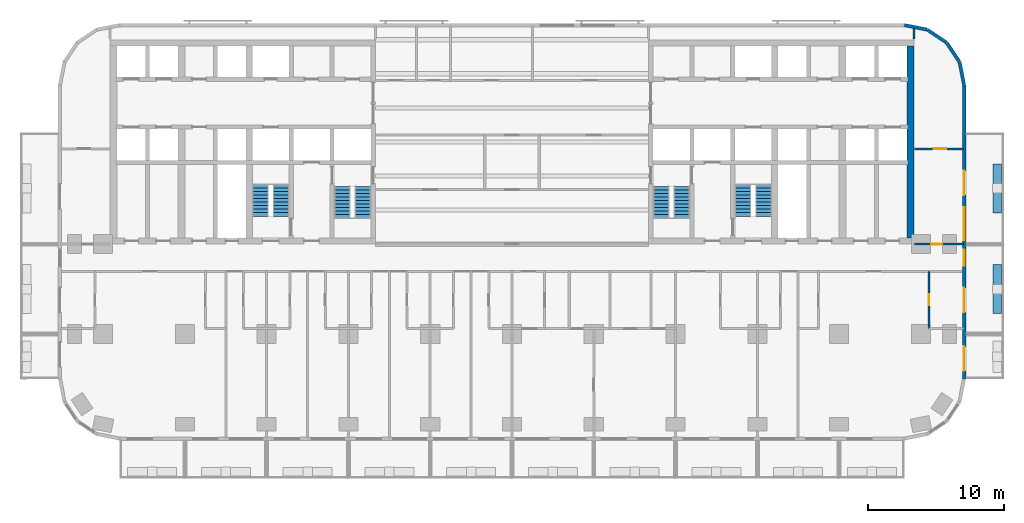
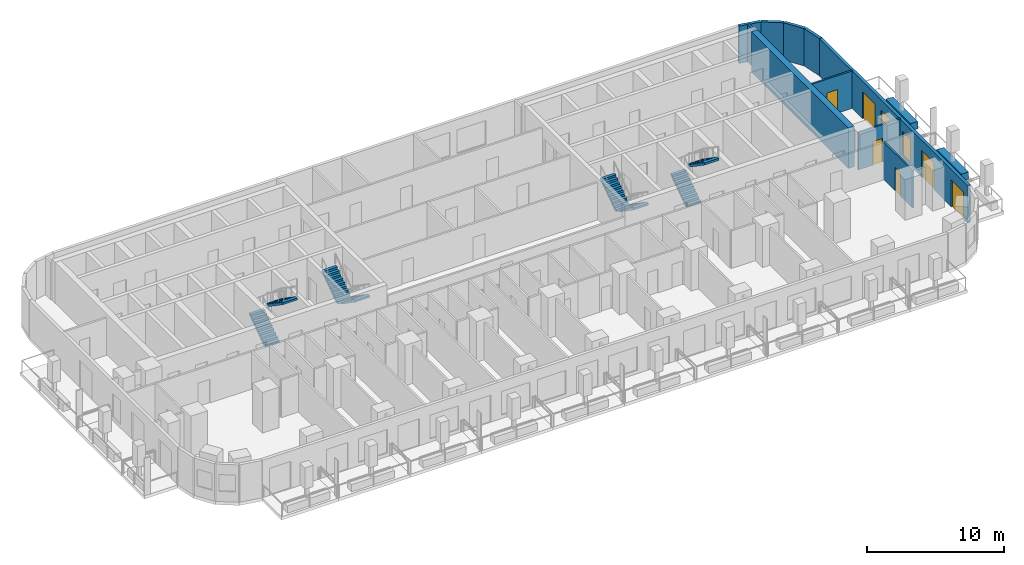
# One storey, part 8 of 13: 12 walls, 8 stair flights, 6 doors, 2 windows, 8 openings, 4 elements without a shape of their own.
"""IFC4 building model written with IfcOpenShell, lengths in metres."""

from ifc_helpers import new_model, si_unit, direction, frame, frame_2d, origin, place, context, subcontext, project, spatial, polyline, rectangle, outline, extrude, material, layer, layer_set, type_object, element, fill, aggregate, save


model = new_model("IFC4")

# Units and contexts
model_context = context("Model", 3, precision=1e-05, world=origin(), true_north=direction((0.0, 1.0)))
body_context = subcontext(model_context, "Body", "Model", "MODEL_VIEW")
ifc_project = project(units=[si_unit("LENGTHUNIT", "METRE"), si_unit("AREAUNIT", "SQUARE_METRE"), si_unit("VOLUMEUNIT", "CUBIC_METRE"), si_unit("PLANEANGLEUNIT", "RADIAN"), si_unit("MASSUNIT", "GRAM", prefix="KILO")], contexts=[model_context])

# Site, building, storey
site_placement = place(None, origin())
site = spatial("IfcSite", under=ifc_project, at=site_placement, CompositionType="ELEMENT")
building_placement = place(site_placement, origin())
building = spatial("IfcBuilding", under=site, at=building_placement, Name="Torana Hotel and Residences", CompositionType="ELEMENT")
storey_placement = place(building_placement, frame((0.0, 0.0, 56.39990234375)))
storey = spatial("IfcBuildingStorey", under=building, at=storey_placement, Name="L13", CompositionType="ELEMENT", Elevation=56.39990234375)

# Walls
ifc_material_1 = material(Name="Concrete C80/95", Category="concrete")
ifc_layer_1 = layer(ifc_material_1, 0.5)
ifc_layer_set_1 = layer_set([ifc_layer_1], Name="CORE WALL 500 C80/95")
wall_type_1 = type_object("IfcWallType", Name="CORE WALL 500 C80/95", PredefinedType="SHEAR", material=ifc_layer_set_1)
wall_1_placement = place(storey_placement, frame((29.25, -14.550048828125, 0.0), z_axis=(0.0, 0.0, 1.0), x_axis=(0.0, 1.0, 0.0)))
element("IfcWall", 1, at=wall_1_placement, inside=storey, type_object=wall_type_1, Name="Core wall E outer", PredefinedType="SHEAR", context=body_context, shape_type="SweptSolid", body=[
    extrude(rectangle(XDim=14.10009765625, YDim=0.5, at=frame_2d((7.050048828125, 0.0))), origin(), (0.0, 0.0, 1.0), 3.60009765625),
])
ifc_material_2 = material(Name="Black aluminium composite panel", Category="aluminium")
ifc_layer_2 = layer(ifc_material_2, 0.00390625, Name="Cladding", Category="cladding")
ifc_material_3 = material(Name="Ventilated air cavity")
ifc_layer_3 = layer(ifc_material_3, 0.0400390625, Name="Ventilated cavity", Category="cavity")
ifc_material_4 = material(Name="Mineral wool insulation")
ifc_layer_4 = layer(ifc_material_4, 0.090087890625, Name="Insulation", Category="insulation")
ifc_material_5 = material(Name="Steel S280GD", Category="steel")
ifc_layer_5 = layer(ifc_material_5, 0.092041015625, Name="Steel stud frame", Category="structure")
ifc_material_6 = material(Name="Fire rated plasterboard")
ifc_layer_6 = layer(ifc_material_6, 0.011962890625, Name="Inner board", Category="finish")
ifc_layer_7 = layer(ifc_material_6, 0.011962890625, Name="Second board", Category="finish")
ifc_layer_set_2 = layer_set([ifc_layer_2, ifc_layer_3, ifc_layer_4, ifc_layer_5, ifc_layer_6, ifc_layer_7], Name="EW1 EXTERNAL WALL BLACK METAL CLAD 250")
wall_type_2 = type_object("IfcWallType", Name="EW1 EXTERNAL WALL BLACK METAL CLAD 250", PredefinedType="SOLIDWALL", material=ifc_layer_set_2)
wall_2_placement = place(storey_placement, frame((33.172607421875, -3.30029296875, 0.0), z_axis=(0.0, 0.0, 1.0), x_axis=(-0.19513878023, 0.980775640221, 0.0)))
element("IfcWall", 2, at=wall_2_placement, inside=storey, type_object=wall_type_2, Name="External wall L13 e0.0", PredefinedType="SOLIDWALL", context=body_context, shape_type="SweptSolid", body=[
    extrude(rectangle(XDim=1.681396484375, YDim=0.25, at=frame_2d((0.8408203125, 0.0))), origin(), (0.0, 0.0, 1.0), 3.320068359375),
])
for number, where, z_axis, x_axis, name in (
    (3, (32.825927734375, -1.60595703125, 0.0), (0.0, 0.0, 1.0), (-0.55555029066, 0.831482937015, 0.0), "External wall L13 e0.1"),
    (4, (31.87109375, -0.1943359375, 0.0), (0.0, 0.0, 1.0), (-0.831482937015, 0.55555029066, 0.0), "External wall L13 e0.2"),
):
    element("IfcWall", number, at=place(storey_placement, frame(where, z_axis=z_axis, x_axis=x_axis)), inside=storey, type_object=wall_type_2, Name=name, PredefinedType="SOLIDWALL", context=body_context, shape_type="SweptSolid", body=[
        extrude(rectangle(XDim=1.65625, YDim=0.25, at=frame_2d((0.828125, 0.0))), origin(), (0.0, 0.0, 1.0), 3.320068359375),
    ])
wall_3_placement = place(storey_placement, frame((30.448974609375, 0.74462890625, 0.0), z_axis=(0.0, 0.0, 1.0), x_axis=(-0.980803419081, 0.194999110559, 0.0)))
element("IfcWall", 5, at=wall_3_placement, inside=storey, type_object=wall_type_2, Name="External wall L13 e0.3", PredefinedType="SOLIDWALL", context=body_context, shape_type="SweptSolid", body=[
    extrude(rectangle(XDim=1.681396484375, YDim=0.25, at=frame_2d((0.8408203125, 0.0))), origin(), (0.0, 0.0, 1.0), 3.320068359375),
])

# Wall, openings, doors, windows
wall_4_placement = place(storey_placement, frame((33.175048828125, -24.87548828125, 0.0), z_axis=(0.0, 0.0, 1.0), x_axis=(0.0, 1.0, 0.0)))
wall_4 = element("IfcWall", 6, at=wall_4_placement, inside=storey, type_object=wall_type_2, Name="External wall L13 e0.19", PredefinedType="SOLIDWALL", context=body_context, shape_type="SweptSolid", body=[
    extrude(rectangle(XDim=21.55078125, YDim=0.25, at=frame_2d((10.775390625, 0.0))), origin(), (0.0, 0.0, 1.0), 3.320068359375),
])
opening_1_placement = place(wall_4_placement, frame((0.575439453125, 0.0, 0.0)))
opening_1 = element("IfcOpeningElement", 7, at=opening_1_placement, cuts=wall_4, Name="Opening L13-E11", PredefinedType="OPENING", context=body_context, shape_type="SweptSolid", body=[
    extrude(rectangle(XDim=1.800048828125, YDim=2.39990234375, at=frame_2d((0.89990234375, 1.199951171875))), frame((0.0, 0.135009765625, 0.0), z_axis=(0.0, -1.0, 0.0), x_axis=(1.0, 0.0, 0.0)), (0.0, 0.0, 1.0), 0.27001953125),
])
opening_2_placement = place(wall_4_placement, frame((4.87548828125, 0.0, 0.0)))
opening_2 = element("IfcOpeningElement", 8, at=opening_2_placement, cuts=wall_4, Name="Opening L13-E12", PredefinedType="OPENING", context=body_context, shape_type="SweptSolid", body=[
    extrude(rectangle(XDim=1.800048828125, YDim=2.39990234375, at=frame_2d((0.89990234375, 1.199951171875))), frame((0.0, 0.135009765625, 0.0), z_axis=(0.0, -1.0, 0.0), x_axis=(1.0, 0.0, 0.0)), (0.0, 0.0, 1.0), 0.27001953125),
])
opening_3_placement = place(wall_4_placement, frame((8.275390625, 0.0, 0.300048828125)))
opening_3 = element("IfcOpeningElement", 9, at=opening_3_placement, cuts=wall_4, Name="Opening W7", PredefinedType="OPENING", context=body_context, shape_type="SweptSolid", body=[
    extrude(rectangle(XDim=1.199951171875, YDim=2.10009765625, at=frame_2d((0.60009765625, 1.050048828125))), frame((0.0, 0.135009765625, 0.0), z_axis=(0.0, -1.0, 0.0), x_axis=(1.0, 0.0, 0.0)), (0.0, 0.0, 1.0), 0.27001953125),
])
opening_4_placement = place(wall_4_placement, frame((10.17529296875, 0.0, 0.300048828125)))
opening_4 = element("IfcOpeningElement", 10, at=opening_4_placement, cuts=wall_4, Name="Opening W1", PredefinedType="OPENING", context=body_context, shape_type="SweptSolid", body=[
    extrude(rectangle(XDim=2.39990234375, YDim=2.10009765625, at=frame_2d((1.199951171875, 1.050048828125))), frame((0.0, 0.135009765625, 0.0), z_axis=(0.0, -1.0, 0.0), x_axis=(1.0, 0.0, 0.0)), (0.0, 0.0, 1.0), 0.27001953125),
])
opening_5_placement = place(wall_4_placement, frame((13.475341796875, 0.0, 0.0)))
opening_5 = element("IfcOpeningElement", 11, at=opening_5_placement, cuts=wall_4, Name="Opening L13-E13", PredefinedType="OPENING", context=body_context, shape_type="SweptSolid", body=[
    extrude(rectangle(XDim=1.800048828125, YDim=2.39990234375, at=frame_2d((0.89990234375, 1.199951171875))), frame((0.0, 0.135009765625, 0.0), z_axis=(0.0, -1.0, 0.0), x_axis=(1.0, 0.0, 0.0)), (0.0, 0.0, 1.0), 0.27001953125),
])
ifc_material_7 = material(Name="Dark glass in black aluminium frame", Category="aluminium")
door_type_1 = type_object("IfcDoorType", Name="DB1 BALCONY DOOR 1800x2400", OperationType="DOUBLE_DOOR_SINGLE_SWING", PredefinedType="DOOR", material=ifc_material_7)
door_1_placement = place(opening_1_placement, origin())
door_1 = element("IfcDoor", 12, at=door_1_placement, inside=storey, type_object=door_type_1, Name="Balcony door L13", OperationType="DOUBLE_DOOR_SINGLE_SWING", OverallHeight=2.39990234375, OverallWidth=1.800048828125, PredefinedType="DOOR", context=body_context, shape_type="SweptSolid", body=[
    extrude(rectangle(XDim=1.800048828125, YDim=2.39990234375, at=frame_2d((0.89990234375, 1.199951171875))), frame((0.0, 0.02490234375, 0.0), z_axis=(0.0, -1.0, 0.0), x_axis=(1.0, 0.0, 0.0)), (0.0, 0.0, 1.0), 0.050048828125),
])
fill(opening_1, door_1)
door_2_placement = place(opening_2_placement, origin())
door_2 = element("IfcDoor", 13, at=door_2_placement, inside=storey, type_object=door_type_1, Name="Balcony door L13", OperationType="DOUBLE_DOOR_SINGLE_SWING", OverallHeight=2.39990234375, OverallWidth=1.800048828125, PredefinedType="DOOR", context=body_context, shape_type="SweptSolid", body=[
    extrude(rectangle(XDim=1.800048828125, YDim=2.39990234375, at=frame_2d((0.89990234375, 1.199951171875))), frame((0.0, 0.02490234375, 0.0), z_axis=(0.0, -1.0, 0.0), x_axis=(1.0, 0.0, 0.0)), (0.0, 0.0, 1.0), 0.050048828125),
])
fill(opening_2, door_2)
door_3_placement = place(opening_5_placement, origin())
door_3 = element("IfcDoor", 14, at=door_3_placement, inside=storey, type_object=door_type_1, Name="Balcony door L13", OperationType="DOUBLE_DOOR_SINGLE_SWING", OverallHeight=2.39990234375, OverallWidth=1.800048828125, PredefinedType="DOOR", context=body_context, shape_type="SweptSolid", body=[
    extrude(rectangle(XDim=1.800048828125, YDim=2.39990234375, at=frame_2d((0.89990234375, 1.199951171875))), frame((0.0, 0.02490234375, 0.0), z_axis=(0.0, -1.0, 0.0), x_axis=(1.0, 0.0, 0.0)), (0.0, 0.0, 1.0), 0.050048828125),
])
fill(opening_5, door_3)
ifc_material_8 = material(Name="Dark glass in black aluminium frame", Category="aluminium")
window_type_1 = type_object("IfcWindowType", Name="W1 HOTEL ROOM WINDOW 2400x2100", PartitioningType="SINGLE_PANEL", PredefinedType="WINDOW", material=ifc_material_8)
window_1_placement = place(opening_4_placement, origin())
window_1 = element("IfcWindow", 15, at=window_1_placement, inside=storey, type_object=window_type_1, Name="Window L13", OverallHeight=2.10009765625, OverallWidth=2.39990234375, PartitioningType="SINGLE_PANEL", PredefinedType="WINDOW", context=body_context, shape_type="SweptSolid", body=[
    extrude(rectangle(XDim=2.39990234375, YDim=2.10009765625, at=frame_2d((1.199951171875, 1.050048828125))), frame((0.0, 0.030029296875, 0.0), z_axis=(0.0, -1.0, 0.0), x_axis=(1.0, 0.0, 0.0)), (0.0, 0.0, 1.0), 0.06005859375),
])
fill(opening_4, window_1)
ifc_material_9 = material(Name="Dark glass in black aluminium frame", Category="aluminium")
window_type_2 = type_object("IfcWindowType", Name="W7 HOTEL CORRIDOR WINDOW 1200x2100", PartitioningType="SINGLE_PANEL", PredefinedType="WINDOW", material=ifc_material_9)
window_2_placement = place(opening_3_placement, origin())
window_2 = element("IfcWindow", 16, at=window_2_placement, inside=storey, type_object=window_type_2, Name="Window L13", OverallHeight=2.10009765625, OverallWidth=1.199951171875, PartitioningType="SINGLE_PANEL", PredefinedType="WINDOW", context=body_context, shape_type="SweptSolid", body=[
    extrude(rectangle(XDim=1.199951171875, YDim=2.10009765625, at=frame_2d((0.60009765625, 1.050048828125))), frame((0.0, 0.030029296875, 0.0), z_axis=(0.0, -1.0, 0.0), x_axis=(1.0, 0.0, 0.0)), (0.0, 0.0, 1.0), 0.06005859375),
])
fill(opening_3, window_2)

# Wall, opening, door
ifc_material_10 = material(Name="Gypsum plaster")
ifc_layer_8 = layer(ifc_material_10, 0.014892578125, Name="Plaster", Category="finish")
ifc_material_11 = material(Name="Concrete blockwork", Category="masonry")
ifc_layer_9 = layer(ifc_material_11, 0.1201171875, Name="Blockwork", Category="structure")
ifc_layer_10 = layer(ifc_material_10, 0.014892578125, Name="Plaster", Category="finish")
ifc_layer_set_3 = layer_set([ifc_layer_8, ifc_layer_9, ifc_layer_10], Name="FIRE PARTITION 150 BLOCKWORK")
wall_type_3 = type_object("IfcWallType", Name="FIRE PARTITION 150 BLOCKWORK", PredefinedType="PARTITIONING", material=ifc_layer_set_3)
wall_5_placement = place(storey_placement, frame((29.550048828125, -15.0, 0.0), z_axis=(0.0, 0.0, 1.0), x_axis=(1.0, 0.0, 0.0)))
wall_5 = element("IfcWall", 17, at=wall_5_placement, inside=storey, type_object=wall_type_3, Name="Partition L13", PredefinedType="PARTITIONING", context=body_context, shape_type="SweptSolid", body=[
    extrude(rectangle(XDim=3.570068359375, YDim=0.14990234375, at=frame_2d((1.78515625, 0.0))), origin(), (0.0, 0.0, 1.0), 3.320068359375),
])
opening_6_placement = place(wall_5_placement, frame((1.205078125, 0.0, 0.0)))
opening_6 = element("IfcOpeningElement", 18, at=opening_6_placement, cuts=wall_5, Name="Opening L13-47", PredefinedType="OPENING", context=body_context, shape_type="SweptSolid", body=[
    extrude(rectangle(XDim=0.800048828125, YDim=2.10009765625, at=frame_2d((0.39990234375, 1.050048828125))), frame((0.0, 0.0849609375, 0.0), z_axis=(0.0, -1.0, 0.0), x_axis=(1.0, 0.0, 0.0)), (0.0, 0.0, 1.0), 0.169921875),
])
ifc_material_12 = material(Name="Steel S235", Category="steel")
door_type_2 = type_object("IfcDoorType", Name="STORE FIRE DOOR D16 800x2100", OperationType="SINGLE_SWING_LEFT", PredefinedType="DOOR", material=ifc_material_12)
door_4_placement = place(opening_6_placement, origin())
door_4 = element("IfcDoor", 19, at=door_4_placement, inside=storey, type_object=door_type_2, Name="Door L13", OperationType="SINGLE_SWING_RIGHT", OverallHeight=2.10009765625, OverallWidth=0.800048828125, PredefinedType="DOOR", context=body_context, shape_type="SweptSolid", body=[
    extrude(rectangle(XDim=0.800048828125, YDim=2.10009765625, at=frame_2d((0.39990234375, 1.050048828125))), frame((0.0, 0.02490234375, 0.0), z_axis=(0.0, -1.0, 0.0), x_axis=(1.0, 0.0, 0.0)), (0.0, 0.0, 1.0), 0.050048828125),
])
fill(opening_6, door_4)

ifc_material_13 = material(Name="Gypsum plasterboard")
ifc_layer_11 = layer(ifc_material_13, 0.012451171875, Name="Plasterboard", Category="finish")
ifc_layer_12 = layer(ifc_material_13, 0.012451171875, Name="Plasterboard", Category="finish")
ifc_layer_13 = layer(ifc_material_5, 0.10009765625, Name="Steel studs with mineral wool", Category="insulation")
ifc_layer_14 = layer(ifc_material_13, 0.012451171875, Name="Plasterboard", Category="finish")
ifc_layer_15 = layer(ifc_material_13, 0.012451171875, Name="Plasterboard", Category="finish")
ifc_layer_set_4 = layer_set([ifc_layer_11, ifc_layer_12, ifc_layer_13, ifc_layer_14, ifc_layer_15], Name="PARTITION 150 PLASTERBOARD")
wall_type_4 = type_object("IfcWallType", Name="PARTITION 150 PLASTERBOARD", PredefinedType="PARTITIONING", material=ifc_layer_set_4)
wall_6_placement = place(storey_placement, frame((30.60009765625, -21.199951171875, 0.0), z_axis=(0.0, 0.0, 1.0), x_axis=(0.0, 1.0, 0.0)))
wall_6 = element("IfcWall", 20, at=wall_6_placement, inside=storey, type_object=wall_type_4, Name="Partition L13", PredefinedType="PARTITIONING", context=body_context, shape_type="SweptSolid", body=[
    extrude(rectangle(XDim=4.199951171875, YDim=0.14990234375, at=frame_2d((2.10009765625, 0.0))), origin(), (0.0, 0.0, 1.0), 3.320068359375),
])
opening_7_placement = place(wall_6_placement, frame((1.719970703125, 0.0, 0.0)))
opening_7 = element("IfcOpeningElement", 21, at=opening_7_placement, cuts=wall_6, Name="Opening L13-74", PredefinedType="OPENING", context=body_context, shape_type="SweptSolid", body=[
    extrude(rectangle(XDim=0.800048828125, YDim=2.10009765625, at=frame_2d((0.39990234375, 1.050048828125))), frame((0.0, 0.0849609375, 0.0), z_axis=(0.0, -1.0, 0.0), x_axis=(1.0, 0.0, 0.0)), (0.0, 0.0, 1.0), 0.169921875),
])
ifc_material_14 = material(Name="Timber door, painted", Category="wood")
door_type_3 = type_object("IfcDoorType", Name="BATH DOOR D13 800x2100", OperationType="SINGLE_SWING_LEFT", PredefinedType="DOOR", material=ifc_material_14)
door_5_placement = place(opening_7_placement, origin())
door_5 = element("IfcDoor", 22, at=door_5_placement, inside=storey, type_object=door_type_3, Name="Door L13", OperationType="SINGLE_SWING_RIGHT", OverallHeight=2.10009765625, OverallWidth=0.800048828125, PredefinedType="DOOR", context=body_context, shape_type="SweptSolid", body=[
    extrude(rectangle(XDim=0.800048828125, YDim=2.10009765625, at=frame_2d((0.39990234375, 1.050048828125))), frame((0.0, 0.02490234375, 0.0), z_axis=(0.0, -1.0, 0.0), x_axis=(1.0, 0.0, 0.0)), (0.0, 0.0, 1.0), 0.050048828125),
])
fill(opening_7, door_5)

# Wall
wall_7_placement = place(storey_placement, frame((29.5, 0.050048828125, 0.0), z_axis=(0.0, 0.0, 1.0), x_axis=(0.0, 1.0, 0.0)))
element("IfcWall", 23, at=wall_7_placement, inside=storey, type_object=wall_type_4, Name="Partition L13", PredefinedType="PARTITIONING", context=body_context, shape_type="SweptSolid", body=[
    extrude(rectangle(XDim=0.8271484375, YDim=0.14990234375, at=frame_2d((0.41357421875, 0.0))), origin(), (0.0, 0.0, 1.0), 3.320068359375),
])

# Wall, opening, door
wall_8_placement = place(storey_placement, frame((29.550048828125, -8.0, 0.0), z_axis=(0.0, 0.0, 1.0), x_axis=(1.0, 0.0, 0.0)))
wall_8 = element("IfcWall", 24, at=wall_8_placement, inside=storey, type_object=wall_type_4, Name="Partition L13", PredefinedType="PARTITIONING", context=body_context, shape_type="SweptSolid", body=[
    extrude(rectangle(XDim=3.570068359375, YDim=0.14990234375, at=frame_2d((1.78515625, 0.0))), origin(), (0.0, 0.0, 1.0), 3.320068359375),
])
opening_8_placement = place(wall_8_placement, frame((1.39990234375, 0.0, 0.0)))
opening_8 = element("IfcOpeningElement", 25, at=opening_8_placement, cuts=wall_8, Name="Opening L13-76", PredefinedType="OPENING", context=body_context, shape_type="SweptSolid", body=[
    extrude(rectangle(XDim=0.89990234375, YDim=2.10009765625, at=frame_2d((0.449951171875, 1.050048828125))), frame((0.0, 0.0849609375, 0.0), z_axis=(0.0, -1.0, 0.0), x_axis=(1.0, 0.0, 0.0)), (0.0, 0.0, 1.0), 0.169921875),
])
ifc_material_15 = material(Name="Timber door, oiled ash", Category="wood")
door_type_4 = type_object("IfcDoorType", Name="ROOM DOOR D7 900x2100", OperationType="SINGLE_SWING_LEFT", PredefinedType="DOOR", material=ifc_material_15)
door_6_placement = place(opening_8_placement, origin())
door_6 = element("IfcDoor", 26, at=door_6_placement, inside=storey, type_object=door_type_4, Name="Door L13", OperationType="SINGLE_SWING_LEFT", OverallHeight=2.10009765625, OverallWidth=0.89990234375, PredefinedType="DOOR", context=body_context, shape_type="SweptSolid", body=[
    extrude(rectangle(XDim=0.89990234375, YDim=2.10009765625, at=frame_2d((0.449951171875, 1.050048828125))), frame((0.0, 0.02490234375, 0.0), z_axis=(0.0, -1.0, 0.0), x_axis=(1.0, 0.0, 0.0)), (0.0, 0.0, 1.0), 0.050048828125),
])
fill(opening_8, door_6)

# Walls
ifc_material_16 = material(Name="Concrete C40/50 precast", Category="concrete")
ifc_layer_16 = layer(ifc_material_16, 0.10009765625, Name="Planter shell", Category="structure")
ifc_material_17 = material(Name="Root resistant membrane")
ifc_layer_17 = layer(ifc_material_17, 0.00390625, Name="Waterproofing membrane", Category="membrane")
ifc_material_18 = material(Name="Drainage board with filter fleece")
ifc_layer_18 = layer(ifc_material_18, 0.02001953125, Name="Drainage board", Category="drainage")
ifc_material_19 = material(Name="Growing medium")
ifc_layer_19 = layer(ifc_material_19, 0.47607421875, Name="Planting substrate", Category="soil")
ifc_layer_set_5 = layer_set([ifc_layer_16, ifc_layer_17, ifc_layer_18, ifc_layer_19], Name="PL1 BALCONY PLANTER 600")
wall_type_5 = type_object("IfcWallType", Name="PL1 BALCONY PLANTER 600", PredefinedType="USERDEFINED", material=ifc_layer_set_5)
wall_9_placement = place(storey_placement, frame((35.60009765625, -16.5, 0.0), z_axis=(0.0, 0.0, 1.0), x_axis=(0.0, -1.0, 0.0)))
element("IfcWall", 27, at=wall_9_placement, inside=storey, type_object=wall_type_5, Name="Planter 15", ObjectType="PLANTER", PredefinedType="USERDEFINED", context=body_context, shape_type="SweptSolid", body=[
    extrude(rectangle(XDim=3.60009765625, YDim=0.60009765625, at=frame_2d((1.800048828125, 0.0))), origin(), (0.0, 0.0, 1.0), 0.650146484375),
])
wall_10_placement = place(storey_placement, frame((35.60009765625, -9.10009765625, 0.0), z_axis=(0.0, 0.0, 1.0), x_axis=(0.0, -1.0, 0.0)))
element("IfcWall", 28, at=wall_10_placement, inside=storey, type_object=wall_type_5, Name="Planter 16", ObjectType="PLANTER", PredefinedType="USERDEFINED", context=body_context, shape_type="SweptSolid", body=[
    extrude(rectangle(XDim=3.599853515625, YDim=0.60009765625, at=frame_2d((1.7998046875, 0.0))), origin(), (0.0, 0.0, 1.0), 0.650146484375),
])

# Stair, stair flights
ifc_material_20 = material(Name="Concrete C40/50 precast", Category="concrete")
stair_type_1 = type_object("IfcStairType", Name="STAIR ST1 HALF TURN 1200", PredefinedType="HALF_TURN_STAIR", material=ifc_material_20)
stair_1_placement = place(storey_placement, origin())
stair_1 = element("IfcStair", 29, at=stair_1_placement, inside=storey, type_object=stair_type_1, Name="Stair ST1 L13", PredefinedType="HALF_TURN_STAIR")
ifc_material_21 = material(Name="Concrete C40/50 precast", Category="concrete")
stair_flight_type = type_object("IfcStairFlightType", Name="STAIR FLIGHT 1200 PRECAST", PredefinedType="STRAIGHT", material=ifc_material_21)
stair_flight_1_placement = place(storey_placement, frame((-10.949951171875, -10.75, 0.0), z_axis=(0.0, 0.0, 1.0), x_axis=(0.0, -1.0, 0.0)))
stair_flight_1 = element("IfcStairFlight", 30, at=stair_flight_1_placement, type_object=stair_flight_type, Name="ST1 flight 1", NumberOfRisers=10, NumberOfTreads=9, PredefinedType="STRAIGHT", RiserHeight=0.18, TreadLength=0.26, context=body_context, shape_type="SweptSolid", body=[
    extrude(outline(polyline([(0.0, 0.0), (0.0, 0.179931640625), (0.260009765625, 0.179931640625), (0.260009765625, 0.360107421875), (0.52001953125, 0.360107421875), (0.52001953125, 0.5400390625), (0.780029296875, 0.5400390625), (0.780029296875, 0.719970703125), (1.0400390625, 0.719970703125), (1.0400390625, 0.89990234375), (1.300048828125, 0.89990234375), (1.300048828125, 1.080078125), (1.56005859375, 1.080078125), (1.56005859375, 1.260009765625), (1.820068359375, 1.260009765625), (1.820068359375, 1.43994140625), (2.080078125, 1.43994140625), (2.080078125, 1.6201171875), (2.340087890625, 1.6201171875), (2.340087890625, 1.800048828125), (2.340087890625, 1.437744140625), (0.263427734375, 0.0), (0.0, 0.0)])), frame((0.0, 0.60009765625, 0.0), z_axis=(0.0, -1.0, 0.0), x_axis=(1.0, 0.0, 0.0)), (0.0, 0.0, 1.0), 1.199951171875),
])
stair_flight_2_placement = place(storey_placement, frame((-12.449951171875, -13.090087890625, 1.800048828125), z_axis=(0.0, 0.0, 1.0), x_axis=(0.0, 1.0, 0.0)))
stair_flight_2 = element("IfcStairFlight", 31, at=stair_flight_2_placement, type_object=stair_flight_type, Name="ST1 flight 2", NumberOfRisers=10, NumberOfTreads=9, PredefinedType="STRAIGHT", RiserHeight=0.18, TreadLength=0.26, context=body_context, shape_type="SweptSolid", body=[
    extrude(outline(polyline([(0.0, 0.0), (0.0, 0.179931640625), (0.260009765625, 0.179931640625), (0.260009765625, 0.360107421875), (0.52001953125, 0.360107421875), (0.52001953125, 0.5400390625), (0.780029296875, 0.5400390625), (0.780029296875, 0.719970703125), (1.0400390625, 0.719970703125), (1.0400390625, 0.89990234375), (1.300048828125, 0.89990234375), (1.300048828125, 1.080078125), (1.56005859375, 1.080078125), (1.56005859375, 1.260009765625), (1.820068359375, 1.260009765625), (1.820068359375, 1.43994140625), (2.080078125, 1.43994140625), (2.080078125, 1.6201171875), (2.340087890625, 1.6201171875), (2.340087890625, 1.800048828125), (2.340087890625, 1.437744140625), (0.263427734375, 0.0), (0.0, 0.0)])), frame((0.0, 0.60009765625, 0.0), z_axis=(0.0, -1.0, 0.0), x_axis=(1.0, 0.0, 0.0)), (0.0, 0.0, 1.0), 1.199951171875),
])
aggregate(stair_1, [stair_flight_1, stair_flight_2])

ifc_material_22 = material(Name="Concrete C40/50 precast", Category="concrete")
stair_type_2 = type_object("IfcStairType", Name="STAIR ST2 HALF TURN 1200", PredefinedType="HALF_TURN_STAIR", material=ifc_material_22)
stair_2_placement = place(storey_placement, origin())
stair_2 = element("IfcStair", 32, at=stair_2_placement, inside=storey, type_object=stair_type_2, Name="Stair ST2 L13", PredefinedType="HALF_TURN_STAIR")
stair_flight_3_placement = place(storey_placement, frame((-18.449951171875, -12.949951171875, 0.0), z_axis=(0.0, 0.0, 1.0), x_axis=(0.0, 1.0, 0.0)))
stair_flight_3 = element("IfcStairFlight", 33, at=stair_flight_3_placement, type_object=stair_flight_type, Name="ST2 flight 1", NumberOfRisers=10, NumberOfTreads=9, PredefinedType="STRAIGHT", RiserHeight=0.18, TreadLength=0.26, context=body_context, shape_type="SweptSolid", body=[
    extrude(outline(polyline([(0.0, 0.0), (0.0, 0.179931640625), (0.260009765625, 0.179931640625), (0.260009765625, 0.360107421875), (0.52001953125, 0.360107421875), (0.52001953125, 0.5400390625), (0.780029296875, 0.5400390625), (0.780029296875, 0.719970703125), (1.0400390625, 0.719970703125), (1.0400390625, 0.89990234375), (1.300048828125, 0.89990234375), (1.300048828125, 1.080078125), (1.56005859375, 1.080078125), (1.56005859375, 1.260009765625), (1.820068359375, 1.260009765625), (1.820068359375, 1.43994140625), (2.080078125, 1.43994140625), (2.080078125, 1.6201171875), (2.340087890625, 1.6201171875), (2.340087890625, 1.800048828125), (2.340087890625, 1.437744140625), (0.263427734375, 0.0), (0.0, 0.0)])), frame((0.0, 0.60009765625, 0.0), z_axis=(0.0, -1.0, 0.0), x_axis=(1.0, 0.0, 0.0)), (0.0, 0.0, 1.0), 1.199951171875),
])
stair_flight_4_placement = place(storey_placement, frame((-16.949951171875, -10.610107421875, 1.800048828125), z_axis=(0.0, 0.0, 1.0), x_axis=(0.0, -1.0, 0.0)))
stair_flight_4 = element("IfcStairFlight", 34, at=stair_flight_4_placement, type_object=stair_flight_type, Name="ST2 flight 2", NumberOfRisers=10, NumberOfTreads=9, PredefinedType="STRAIGHT", RiserHeight=0.18, TreadLength=0.26, context=body_context, shape_type="SweptSolid", body=[
    extrude(outline(polyline([(0.0, 0.0), (0.0, 0.179931640625), (0.260009765625, 0.179931640625), (0.260009765625, 0.360107421875), (0.52001953125, 0.360107421875), (0.52001953125, 0.5400390625), (0.780029296875, 0.5400390625), (0.780029296875, 0.719970703125), (1.0400390625, 0.719970703125), (1.0400390625, 0.89990234375), (1.300048828125, 0.89990234375), (1.300048828125, 1.080078125), (1.56005859375, 1.080078125), (1.56005859375, 1.260009765625), (1.820068359375, 1.260009765625), (1.820068359375, 1.43994140625), (2.080078125, 1.43994140625), (2.080078125, 1.6201171875), (2.340087890625, 1.6201171875), (2.340087890625, 1.800048828125), (2.340087890625, 1.437744140625), (0.263427734375, 0.0), (0.0, 0.0)])), frame((0.0, 0.60009765625, 0.0), z_axis=(0.0, -1.0, 0.0), x_axis=(1.0, 0.0, 0.0)), (0.0, 0.0, 1.0), 1.199951171875),
])
aggregate(stair_2, [stair_flight_3, stair_flight_4])

ifc_material_23 = material(Name="Concrete C40/50 precast", Category="concrete")
stair_type_3 = type_object("IfcStairType", Name="STAIR ST3 HALF TURN 1200", PredefinedType="HALF_TURN_STAIR", material=ifc_material_23)
stair_3_placement = place(storey_placement, origin())
stair_3 = element("IfcStair", 35, at=stair_3_placement, inside=storey, type_object=stair_type_3, Name="Stair ST3 L13", PredefinedType="HALF_TURN_STAIR")
stair_flight_5_placement = place(storey_placement, frame((12.449951171875, -10.75, 0.0), z_axis=(0.0, 0.0, 1.0), x_axis=(0.0, -1.0, 0.0)))
stair_flight_5 = element("IfcStairFlight", 36, at=stair_flight_5_placement, type_object=stair_flight_type, Name="ST3 flight 1", NumberOfRisers=10, NumberOfTreads=9, PredefinedType="STRAIGHT", RiserHeight=0.18, TreadLength=0.26, context=body_context, shape_type="SweptSolid", body=[
    extrude(outline(polyline([(0.0, 0.0), (0.0, 0.179931640625), (0.260009765625, 0.179931640625), (0.260009765625, 0.360107421875), (0.52001953125, 0.360107421875), (0.52001953125, 0.5400390625), (0.780029296875, 0.5400390625), (0.780029296875, 0.719970703125), (1.0400390625, 0.719970703125), (1.0400390625, 0.89990234375), (1.300048828125, 0.89990234375), (1.300048828125, 1.080078125), (1.56005859375, 1.080078125), (1.56005859375, 1.260009765625), (1.820068359375, 1.260009765625), (1.820068359375, 1.43994140625), (2.080078125, 1.43994140625), (2.080078125, 1.6201171875), (2.340087890625, 1.6201171875), (2.340087890625, 1.800048828125), (2.340087890625, 1.437744140625), (0.263427734375, 0.0), (0.0, 0.0)])), frame((0.0, 0.60009765625, 0.0), z_axis=(0.0, -1.0, 0.0), x_axis=(1.0, 0.0, 0.0)), (0.0, 0.0, 1.0), 1.199951171875),
])
stair_flight_6_placement = place(storey_placement, frame((10.949951171875, -13.090087890625, 1.800048828125), z_axis=(0.0, 0.0, 1.0), x_axis=(0.0, 1.0, 0.0)))
stair_flight_6 = element("IfcStairFlight", 37, at=stair_flight_6_placement, type_object=stair_flight_type, Name="ST3 flight 2", NumberOfRisers=10, NumberOfTreads=9, PredefinedType="STRAIGHT", RiserHeight=0.18, TreadLength=0.26, context=body_context, shape_type="SweptSolid", body=[
    extrude(outline(polyline([(0.0, 0.0), (0.0, 0.179931640625), (0.260009765625, 0.179931640625), (0.260009765625, 0.360107421875), (0.52001953125, 0.360107421875), (0.52001953125, 0.5400390625), (0.780029296875, 0.5400390625), (0.780029296875, 0.719970703125), (1.0400390625, 0.719970703125), (1.0400390625, 0.89990234375), (1.300048828125, 0.89990234375), (1.300048828125, 1.080078125), (1.56005859375, 1.080078125), (1.56005859375, 1.260009765625), (1.820068359375, 1.260009765625), (1.820068359375, 1.43994140625), (2.080078125, 1.43994140625), (2.080078125, 1.6201171875), (2.340087890625, 1.6201171875), (2.340087890625, 1.800048828125), (2.340087890625, 1.437744140625), (0.263427734375, 0.0), (0.0, 0.0)])), frame((0.0, 0.60009765625, 0.0), z_axis=(0.0, -1.0, 0.0), x_axis=(1.0, 0.0, 0.0)), (0.0, 0.0, 1.0), 1.199951171875),
])
aggregate(stair_3, [stair_flight_5, stair_flight_6])

ifc_material_24 = material(Name="Concrete C40/50 precast", Category="concrete")
stair_type_4 = type_object("IfcStairType", Name="STAIR ST4 HALF TURN 1200", PredefinedType="HALF_TURN_STAIR", material=ifc_material_24)
stair_4_placement = place(storey_placement, origin())
stair_4 = element("IfcStair", 38, at=stair_4_placement, inside=storey, type_object=stair_type_4, Name="Stair ST4 L13", PredefinedType="HALF_TURN_STAIR")
stair_flight_7_placement = place(storey_placement, frame((16.949951171875, -12.949951171875, 0.0), z_axis=(0.0, 0.0, 1.0), x_axis=(0.0, 1.0, 0.0)))
stair_flight_7 = element("IfcStairFlight", 39, at=stair_flight_7_placement, type_object=stair_flight_type, Name="ST4 flight 1", NumberOfRisers=10, NumberOfTreads=9, PredefinedType="STRAIGHT", RiserHeight=0.18, TreadLength=0.26, context=body_context, shape_type="SweptSolid", body=[
    extrude(outline(polyline([(0.0, 0.0), (0.0, 0.179931640625), (0.260009765625, 0.179931640625), (0.260009765625, 0.360107421875), (0.52001953125, 0.360107421875), (0.52001953125, 0.5400390625), (0.780029296875, 0.5400390625), (0.780029296875, 0.719970703125), (1.0400390625, 0.719970703125), (1.0400390625, 0.89990234375), (1.300048828125, 0.89990234375), (1.300048828125, 1.080078125), (1.56005859375, 1.080078125), (1.56005859375, 1.260009765625), (1.820068359375, 1.260009765625), (1.820068359375, 1.43994140625), (2.080078125, 1.43994140625), (2.080078125, 1.6201171875), (2.340087890625, 1.6201171875), (2.340087890625, 1.800048828125), (2.340087890625, 1.437744140625), (0.263427734375, 0.0), (0.0, 0.0)])), frame((0.0, 0.60009765625, 0.0), z_axis=(0.0, -1.0, 0.0), x_axis=(1.0, 0.0, 0.0)), (0.0, 0.0, 1.0), 1.199951171875),
])
stair_flight_8_placement = place(storey_placement, frame((18.449951171875, -10.610107421875, 1.800048828125), z_axis=(0.0, 0.0, 1.0), x_axis=(0.0, -1.0, 0.0)))
stair_flight_8 = element("IfcStairFlight", 40, at=stair_flight_8_placement, type_object=stair_flight_type, Name="ST4 flight 2", NumberOfRisers=10, NumberOfTreads=9, PredefinedType="STRAIGHT", RiserHeight=0.18, TreadLength=0.26, context=body_context, shape_type="SweptSolid", body=[
    extrude(outline(polyline([(0.0, 0.0), (0.0, 0.179931640625), (0.260009765625, 0.179931640625), (0.260009765625, 0.360107421875), (0.52001953125, 0.360107421875), (0.52001953125, 0.5400390625), (0.780029296875, 0.5400390625), (0.780029296875, 0.719970703125), (1.0400390625, 0.719970703125), (1.0400390625, 0.89990234375), (1.300048828125, 0.89990234375), (1.300048828125, 1.080078125), (1.56005859375, 1.080078125), (1.56005859375, 1.260009765625), (1.820068359375, 1.260009765625), (1.820068359375, 1.43994140625), (2.080078125, 1.43994140625), (2.080078125, 1.6201171875), (2.340087890625, 1.6201171875), (2.340087890625, 1.800048828125), (2.340087890625, 1.437744140625), (0.263427734375, 0.0), (0.0, 0.0)])), frame((0.0, 0.60009765625, 0.0), z_axis=(0.0, -1.0, 0.0), x_axis=(1.0, 0.0, 0.0)), (0.0, 0.0, 1.0), 1.199951171875),
])
aggregate(stair_4, [stair_flight_7, stair_flight_8])

save(model, "model.ifc")
